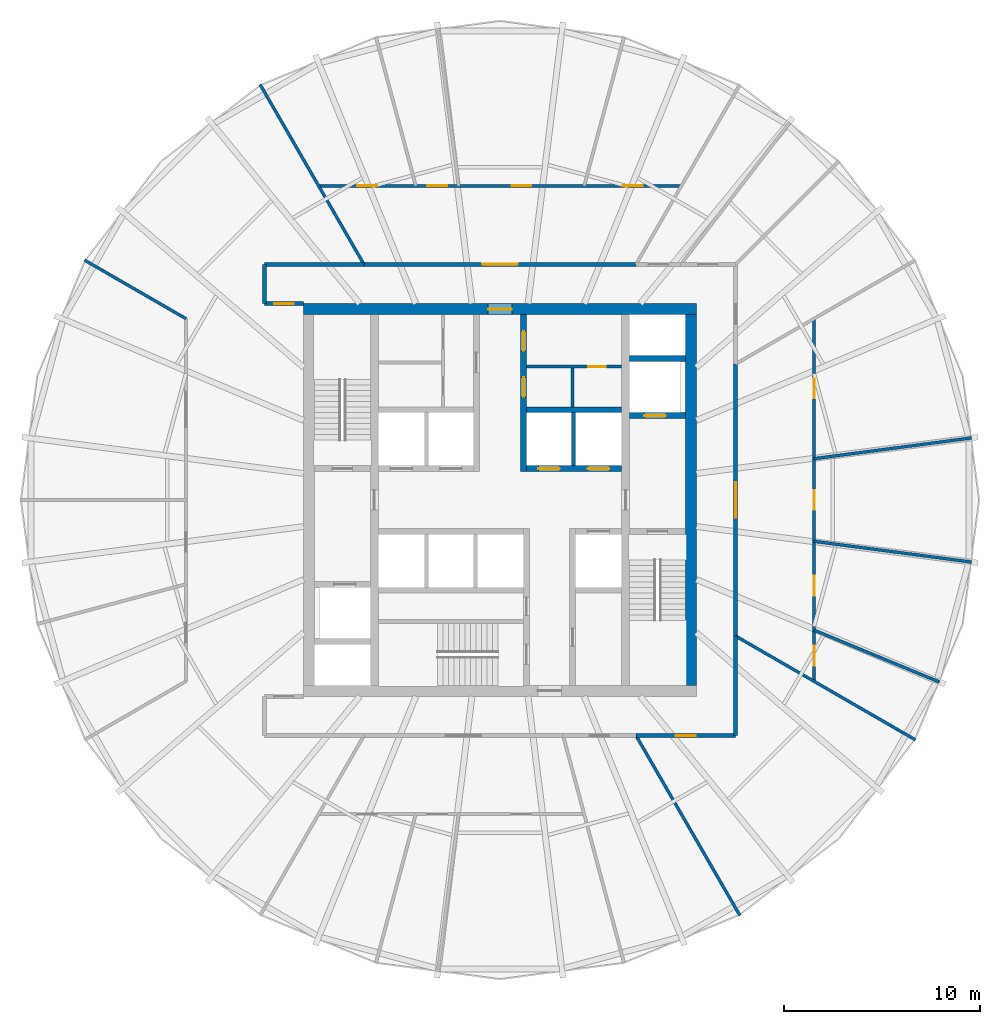
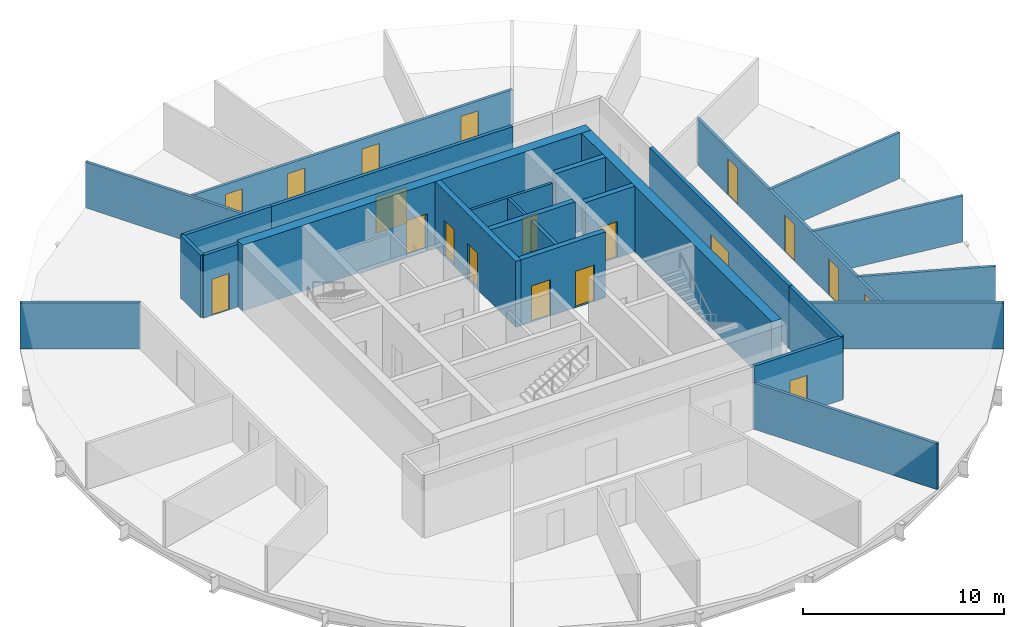
# One storey, part 4 of 6: 26 walls, 19 doors, 19 openings.
"""IFC4 building model written with IfcOpenShell, lengths in metres."""

from ifc_helpers import new_model, si_unit, direction, frame, frame_2d, origin, place, context, subcontext, project, spatial, rectangle, extrude, material, layer, layer_set, type_object, element, fill, save


model = new_model("IFC4")

# Units and contexts
model_context = context("Model", 3, precision=1e-05, world=origin(), true_north=direction((0.0, 1.0)))
body_context = subcontext(model_context, "Body", "Model", "MODEL_VIEW")
ifc_project = project(units=[si_unit("LENGTHUNIT", "METRE"), si_unit("AREAUNIT", "SQUARE_METRE"), si_unit("VOLUMEUNIT", "CUBIC_METRE"), si_unit("PLANEANGLEUNIT", "RADIAN"), si_unit("MASSUNIT", "GRAM", prefix="KILO")], contexts=[model_context])

# Site, building, storey
site_placement = place(None, origin())
site = spatial("IfcSite", under=ifc_project, at=site_placement, CompositionType="ELEMENT")
building_placement = place(site_placement, origin())
building = spatial("IfcBuilding", under=site, at=building_placement, Name="Golbaran Civic Tower", CompositionType="ELEMENT")
storey_placement = place(building_placement, frame((0.0, 0.0, 126.0)))
storey = spatial("IfcBuildingStorey", under=building, at=storey_placement, Name="L30", CompositionType="ELEMENT", Elevation=126.0)

# Wall, opening, door
ifc_material_1 = material(Name="Concrete block", Category="concrete")
ifc_layer_1 = layer(ifc_material_1, 0.14990234375, Name="Concrete block")
ifc_layer_set_1 = layer_set([ifc_layer_1], Name="Concrete block")
wall_type_1 = type_object("IfcWallType", Name="BLOCKWORK PARTITION 150", PredefinedType="PARTITIONING", material=ifc_layer_set_1)
wall_1_placement = place(storey_placement, frame((1.35009765625, 6.800048828125, 0.0), z_axis=(0.0, 0.0, 1.0), x_axis=(1.0, 0.0, 0.0)))
wall_1 = element("IfcWall", 1, at=wall_1_placement, inside=storey, type_object=wall_type_1, Name="Toilet block partition TN1 L30", PredefinedType="PARTITIONING", context=body_context, shape_type="SweptSolid", body=[
    extrude(rectangle(XDim=4.849853515625, YDim=0.14990234375, at=frame_2d((2.4248046875, 0.0))), origin(), (0.0, 0.0, 1.0), 3.75),
])
opening_1_placement = place(wall_1_placement, frame((3.14990234375, 0.0, 0.0)))
opening_1 = element("IfcOpeningElement", 2, at=opening_1_placement, cuts=wall_1, Name="Opening L30.CLN", PredefinedType="OPENING", context=body_context, shape_type="SweptSolid", body=[
    extrude(rectangle(XDim=0.89990234375, YDim=2.199951171875, at=frame_2d((0.449951171875, 1.10009765625))), frame((0.0, 0.0849609375, 0.0), z_axis=(0.0, -1.0, 0.0), x_axis=(1.0, 0.0, 0.0)), (0.0, 0.0, 1.0), 0.169921875),
])
ifc_material_2 = material(Name="Timber door set in steel frame", Category="steel")
door_type_1 = type_object("IfcDoorType", Name="RISER DOOR 900x2200", OperationType="SINGLE_SWING_LEFT", PredefinedType="DOOR", material=ifc_material_2)
door_1_placement = place(opening_1_placement, origin())
door_1 = element("IfcDoor", 3, at=door_1_placement, inside=storey, type_object=door_type_1, Name="Floor Store door", OperationType="SINGLE_SWING_RIGHT", OverallHeight=2.199951171875, OverallWidth=0.89990234375, PredefinedType="DOOR", context=body_context, shape_type="SweptSolid", body=[
    extrude(rectangle(XDim=0.89990234375, YDim=2.199951171875, at=frame_2d((0.449951171875, 1.10009765625))), frame((0.0, 0.02490234375, 0.0), z_axis=(0.0, -1.0, 0.0), x_axis=(1.0, 0.0, 0.0)), (0.0, 0.0, 1.0), 0.050048828125),
])
fill(opening_1, door_1)

# Wall
wall_2_placement = place(storey_placement, frame((3.699951171875, 4.75, 0.0), z_axis=(0.0, 0.0, 1.0), x_axis=(0.0, 1.0, 0.0)))
element("IfcWall", 4, at=wall_2_placement, inside=storey, type_object=wall_type_1, Name="Toilet block partition TN2 L30", PredefinedType="PARTITIONING", context=body_context, shape_type="SweptSolid", body=[
    extrude(rectangle(XDim=1.97509765625, YDim=0.14990234375, at=frame_2d((0.987548828125, 0.0))), origin(), (0.0, 0.0, 1.0), 3.75),
])

# Wall, opening, door
ifc_material_3 = material(Name="Concrete C50/60", Category="concrete")
ifc_layer_2 = layer(ifc_material_3, 0.550048828125, Name="Concrete C50/60")
ifc_layer_set_2 = layer_set([ifc_layer_2], Name="Concrete C50/60")
wall_type_2 = type_object("IfcWallType", Name="CORE WALL CONCRETE 550", PredefinedType="SOLIDWALL", material=ifc_layer_set_2)
wall_3_placement = place(storey_placement, frame((-10.0, 9.72509765625, 0.0), z_axis=(0.0, 0.0, 1.0), x_axis=(1.0, 0.0, 0.0)))
wall_3 = element("IfcWall", 5, at=wall_3_placement, inside=storey, type_object=wall_type_2, Name="Core wall CN L30", PredefinedType="SOLIDWALL", context=body_context, shape_type="SweptSolid", body=[
    extrude(rectangle(XDim=20.0, YDim=0.550048828125, at=frame_2d((10.0, 0.0))), origin(), (0.0, 0.0, 1.0), 4.0),
])
opening_2_placement = place(wall_3_placement, frame((9.39990234375, 0.0, 0.0)))
opening_2 = element("IfcOpeningElement", 6, at=opening_2_placement, cuts=wall_3, Name="Opening L30.CN", PredefinedType="OPENING", context=body_context, shape_type="SweptSolid", body=[
    extrude(rectangle(XDim=1.199951171875, YDim=2.199951171875, at=frame_2d((0.60009765625, 1.10009765625))), frame((0.0, 0.284912109375, 0.0), z_axis=(0.0, -1.0, 0.0), x_axis=(1.0, 0.0, 0.0)), (0.0, 0.0, 1.0), 0.570068359375),
])
door_type_2 = type_object("IfcDoorType", Name="CORE DOOR 1200x2200", OperationType="DOUBLE_DOOR_SINGLE_SWING", PredefinedType="DOOR", material=ifc_material_2)
door_2_placement = place(opening_2_placement, origin())
door_2 = element("IfcDoor", 7, at=door_2_placement, inside=storey, type_object=door_type_2, Name="Core door north", OperationType="DOUBLE_DOOR_SINGLE_SWING", OverallHeight=2.199951171875, OverallWidth=1.199951171875, PredefinedType="DOOR", context=body_context, shape_type="SweptSolid", body=[
    extrude(rectangle(XDim=1.199951171875, YDim=2.199951171875, at=frame_2d((0.60009765625, 1.10009765625))), frame((0.0, 0.02490234375, 0.0), z_axis=(0.0, -1.0, 0.0), x_axis=(1.0, 0.0, 0.0)), (0.0, 0.0, 1.0), 0.050048828125),
])
fill(opening_2, door_2)

# Wall
wall_4_placement = place(storey_placement, frame((9.72509765625, -9.449951171875, 0.0), z_axis=(0.0, 0.0, 1.0), x_axis=(0.0, 1.0, 0.0)))
element("IfcWall", 8, at=wall_4_placement, inside=storey, type_object=wall_type_2, Name="Core wall CE L30", PredefinedType="SOLIDWALL", context=body_context, shape_type="SweptSolid", body=[
    extrude(rectangle(XDim=18.89990234375, YDim=0.550048828125, at=frame_2d((9.449951171875, 0.0))), origin(), (0.0, 0.0, 1.0), 4.0),
])

# Wall, opening, door
ifc_material_4 = material(Name="Gypsum board on steel studs, fire-rated", Category="steel")
ifc_layer_3 = layer(ifc_material_4, 0.199951171875, Name="Gypsum board on steel studs, fire-rated")
ifc_layer_set_3 = layer_set([ifc_layer_3], Name="Gypsum board on steel studs, fire-rated")
wall_type_3 = type_object("IfcWallType", Name="CORRIDOR WALL 200", PredefinedType="PARTITIONING", material=ifc_layer_set_3)
wall_5_placement = place(storey_placement, frame((12.0, -6.92822265625, 0.0), z_axis=(0.0, 0.0, 1.0), x_axis=(0.0, 1.0, 0.0)))
wall_5 = element("IfcWall", 9, at=wall_5_placement, inside=storey, type_object=wall_type_3, Name="Corridor wall L30", PredefinedType="PARTITIONING", context=body_context, shape_type="SweptSolid", body=[
    extrude(rectangle(XDim=13.8564453125, YDim=0.199951171875, at=frame_2d((6.92822265625, 0.0))), origin(), (0.0, 0.0, 1.0), 3.800048828125),
])
opening_3_placement = place(wall_5_placement, frame((6.0283203125, 0.0, 0.0)))
opening_3 = element("IfcOpeningElement", 10, at=opening_3_placement, cuts=wall_5, Name="Opening L30.16", PredefinedType="OPENING", context=body_context, shape_type="SweptSolid", body=[
    extrude(rectangle(XDim=1.800048828125, YDim=2.199951171875, at=frame_2d((0.89990234375, 1.10009765625))), frame((0.0, 0.10986328125, 0.0), z_axis=(0.0, -1.0, 0.0), x_axis=(1.0, 0.0, 0.0)), (0.0, 0.0, 1.0), 0.219970703125),
])
door_type_3 = type_object("IfcDoorType", Name="OFFICE DOUBLE DOOR 1800x2200", OperationType="DOUBLE_DOOR_SINGLE_SWING", PredefinedType="DOOR", material=ifc_material_2)
door_3_placement = place(opening_3_placement, origin())
door_3 = element("IfcDoor", 11, at=door_3_placement, inside=storey, type_object=door_type_3, Name="Secretariat door L30", OperationType="DOUBLE_DOOR_SINGLE_SWING", OverallHeight=2.199951171875, OverallWidth=1.800048828125, PredefinedType="DOOR", context=body_context, shape_type="SweptSolid", body=[
    extrude(rectangle(XDim=1.800048828125, YDim=2.199951171875, at=frame_2d((0.89990234375, 1.10009765625))), frame((0.0, 0.02490234375, 0.0), z_axis=(0.0, -1.0, 0.0), x_axis=(1.0, 0.0, 0.0)), (0.0, 0.0, 1.0), 0.050048828125),
])
fill(opening_3, door_3)

wall_6_placement = place(storey_placement, frame((6.92822265625, 12.0, 0.0), z_axis=(0.0, 0.0, 1.0), x_axis=(-1.0, 0.0, 0.0)))
wall_6 = element("IfcWall", 12, at=wall_6_placement, inside=storey, type_object=wall_type_3, Name="Corridor wall L30", PredefinedType="PARTITIONING", context=body_context, shape_type="SweptSolid", body=[
    extrude(rectangle(XDim=13.8564453125, YDim=0.199951171875, at=frame_2d((6.92822265625, 0.0))), origin(), (0.0, 0.0, 1.0), 3.800048828125),
])
opening_4_placement = place(wall_6_placement, frame((6.0283203125, 0.0, 0.0)))
opening_4 = element("IfcOpeningElement", 13, at=opening_4_placement, cuts=wall_6, Name="Opening L30.20", PredefinedType="OPENING", context=body_context, shape_type="SweptSolid", body=[
    extrude(rectangle(XDim=1.800048828125, YDim=2.199951171875, at=frame_2d((0.89990234375, 1.10009765625))), frame((0.0, 0.10986328125, 0.0), z_axis=(0.0, -1.0, 0.0), x_axis=(1.0, 0.0, 0.0)), (0.0, 0.0, 1.0), 0.219970703125),
])
door_4_placement = place(opening_4_placement, origin())
door_4 = element("IfcDoor", 14, at=door_4_placement, inside=storey, type_object=door_type_3, Name="Secretariat door L30", OperationType="DOUBLE_DOOR_SINGLE_SWING", OverallHeight=2.199951171875, OverallWidth=1.800048828125, PredefinedType="DOOR", context=body_context, shape_type="SweptSolid", body=[
    extrude(rectangle(XDim=1.800048828125, YDim=2.199951171875, at=frame_2d((0.89990234375, 1.10009765625))), frame((0.0, 0.02490234375, 0.0), z_axis=(0.0, -1.0, 0.0), x_axis=(1.0, 0.0, 0.0)), (0.0, 0.0, 1.0), 0.050048828125),
])
fill(opening_4, door_4)

# Walls
wall_7_placement = place(storey_placement, frame((-6.92822265625, 12.0, 0.0), z_axis=(0.0, 0.0, 1.0), x_axis=(-1.0, 0.0, 0.0)))
element("IfcWall", 15, at=wall_7_placement, inside=storey, type_object=wall_type_3, Name="Corridor wall L30", PredefinedType="PARTITIONING", context=body_context, shape_type="SweptSolid", body=[
    extrude(rectangle(XDim=5.07177734375, YDim=0.199951171875, at=frame_2d((2.535888671875, 0.0))), origin(), (0.0, 0.0, 1.0), 3.800048828125),
])
wall_8_placement = place(storey_placement, frame((-12.0, 12.0, 0.0), z_axis=(0.0, 0.0, 1.0), x_axis=(0.0, -1.0, 0.0)))
element("IfcWall", 16, at=wall_8_placement, inside=storey, type_object=wall_type_3, Name="Corridor wall L30", PredefinedType="PARTITIONING", context=body_context, shape_type="SweptSolid", body=[
    extrude(rectangle(XDim=2.0, YDim=0.199951171875, at=frame_2d((1.0, 0.0))), origin(), (0.0, 0.0, 1.0), 3.800048828125),
])

# Wall, opening, door
wall_9_placement = place(storey_placement, frame((6.92822265625, -12.0, 0.0), z_axis=(0.0, 0.0, 1.0), x_axis=(1.0, 0.0, 0.0)))
wall_9 = element("IfcWall", 17, at=wall_9_placement, inside=storey, type_object=wall_type_3, Name="Corridor wall L30", PredefinedType="PARTITIONING", context=body_context, shape_type="SweptSolid", body=[
    extrude(rectangle(XDim=5.07177734375, YDim=0.199951171875, at=frame_2d((2.535888671875, 0.0))), origin(), (0.0, 0.0, 1.0), 3.800048828125),
])
opening_5_placement = place(wall_9_placement, frame((2.035888671875, 0.0, 0.0)))
opening_5 = element("IfcOpeningElement", 18, at=opening_5_placement, cuts=wall_9, Name="Opening L30.23", PredefinedType="OPENING", context=body_context, shape_type="SweptSolid", body=[
    extrude(rectangle(XDim=1.0, YDim=2.199951171875, at=frame_2d((0.5, 1.10009765625))), frame((0.0, 0.10986328125, 0.0), z_axis=(0.0, -1.0, 0.0), x_axis=(1.0, 0.0, 0.0)), (0.0, 0.0, 1.0), 0.219970703125),
])
door_type_4 = type_object("IfcDoorType", Name="OFFICE DOOR 1000x2200", OperationType="SINGLE_SWING_LEFT", PredefinedType="DOOR", material=ifc_material_2)
door_5_placement = place(opening_5_placement, origin())
door_5 = element("IfcDoor", 19, at=door_5_placement, inside=storey, type_object=door_type_4, Name="Project Room door L30", OperationType="SINGLE_SWING_LEFT", OverallHeight=2.199951171875, OverallWidth=1.0, PredefinedType="DOOR", context=body_context, shape_type="SweptSolid", body=[
    extrude(rectangle(XDim=1.0, YDim=2.199951171875, at=frame_2d((0.5, 1.10009765625))), frame((0.0, 0.02490234375, 0.0), z_axis=(0.0, -1.0, 0.0), x_axis=(1.0, 0.0, 0.0)), (0.0, 0.0, 1.0), 0.050048828125),
])
fill(opening_5, door_5)

# Wall
wall_10_placement = place(storey_placement, frame((12.0, -12.0, 0.0), z_axis=(0.0, 0.0, 1.0), x_axis=(0.0, 1.0, 0.0)))
element("IfcWall", 20, at=wall_10_placement, inside=storey, type_object=wall_type_3, Name="Corridor wall L30", PredefinedType="PARTITIONING", context=body_context, shape_type="SweptSolid", body=[
    extrude(rectangle(XDim=5.07177734375, YDim=0.199951171875, at=frame_2d((2.535888671875, 0.0))), origin(), (0.0, 0.0, 1.0), 3.800048828125),
])

# Wall, opening, door
wall_11_placement = place(storey_placement, frame((-10.0, 10.0, 0.0), z_axis=(0.0, 0.0, 1.0), x_axis=(-1.0, 0.0, 0.0)))
wall_11 = element("IfcWall", 21, at=wall_11_placement, inside=storey, type_object=wall_type_3, Name="Corridor end wall L30", PredefinedType="PARTITIONING", context=body_context, shape_type="SweptSolid", body=[
    extrude(rectangle(XDim=2.0, YDim=0.199951171875, at=frame_2d((1.0, 0.0))), origin(), (0.0, 0.0, 1.0), 3.800048828125),
])
opening_6_placement = place(wall_11_placement, frame((0.5, 0.0, 0.0)))
opening_6 = element("IfcOpeningElement", 22, at=opening_6_placement, cuts=wall_11, Name="Opening L30.26", PredefinedType="OPENING", context=body_context, shape_type="SweptSolid", body=[
    extrude(rectangle(XDim=1.0, YDim=2.199951171875, at=frame_2d((0.5, 1.10009765625))), frame((0.0, 0.10986328125, 0.0), z_axis=(0.0, -1.0, 0.0), x_axis=(1.0, 0.0, 0.0)), (0.0, 0.0, 1.0), 0.219970703125),
])
door_6_placement = place(opening_6_placement, origin())
door_6 = element("IfcDoor", 23, at=door_6_placement, inside=storey, type_object=door_type_4, Name="Open Office door L30", OperationType="SINGLE_SWING_RIGHT", OverallHeight=2.199951171875, OverallWidth=1.0, PredefinedType="DOOR", context=body_context, shape_type="SweptSolid", body=[
    extrude(rectangle(XDim=1.0, YDim=2.199951171875, at=frame_2d((0.5, 1.10009765625))), frame((0.0, 0.02490234375, 0.0), z_axis=(0.0, -1.0, 0.0), x_axis=(1.0, 0.0, 0.0)), (0.0, 0.0, 1.0), 0.050048828125),
])
fill(opening_6, door_6)

# Walls
ifc_layer_4 = layer(ifc_material_1, 0.199951171875, Name="Concrete block")
ifc_layer_set_4 = layer_set([ifc_layer_4], Name="Concrete block")
wall_type_4 = type_object("IfcWallType", Name="LIFT SEPARATOR WALL 200", PredefinedType="SOLIDWALL", material=ifc_layer_set_4)
wall_12_placement = place(storey_placement, frame((3.75, 1.75, 0.0), z_axis=(0.0, 0.0, 1.0), x_axis=(0.0, 1.0, 0.0)))
element("IfcWall", 24, at=wall_12_placement, inside=storey, type_object=wall_type_4, Name="Core partition SNE L30", PredefinedType="SOLIDWALL", context=body_context, shape_type="SweptSolid", body=[
    extrude(rectangle(XDim=2.699951171875, YDim=0.199951171875, at=frame_2d((1.35009765625, 0.0))), origin(), (0.0, 0.0, 1.0), 3.75),
])
ifc_material_5 = material(Name="Gypsum board on steel studs", Category="steel")
ifc_layer_5 = layer(ifc_material_5, 0.14990234375, Name="Gypsum board on steel studs")
ifc_layer_set_5 = layer_set([ifc_layer_5], Name="Gypsum board on steel studs")
wall_type_5 = type_object("IfcWallType", Name="OFFICE PARTITION 150", PredefinedType="PARTITIONING", material=ifc_layer_set_5)
for number, where, z_axis, x_axis, name in (
    (25, (12.0, -6.92822265625, 0.0), (0.0, 0.0, 1.0), (0.866023526577, -0.500003251404, 0.0), "Partition 330 L30"),
    (26, (-6.92822265625, 12.0, 0.0), (0.0, 0.0, 1.0), (-0.500003251404, 0.866023526577, 0.0), "Partition 120 L30"),
    (27, (6.92822265625, -12.0, 0.0), (0.0, 0.0, 1.0), (0.500003251404, -0.866023526577, 0.0), "Partition 300 L30"),
):
    element("IfcWall", number, at=place(storey_placement, frame(where, z_axis=z_axis, x_axis=x_axis)), inside=storey, type_object=wall_type_5, Name=name, PredefinedType="PARTITIONING", context=body_context, shape_type="SweptSolid", body=[
        extrude(rectangle(XDim=10.5869140625, YDim=0.14990234375, at=frame_2d((5.29345703125, 0.0))), origin(), (0.0, 0.0, 1.0), 2.7900390625),
    ])

# Wall, openings, doors
wall_13_placement = place(storey_placement, frame((16.0, -9.237548828125, 0.0), z_axis=(0.0, 0.0, 1.0), x_axis=(0.0, 1.0, 0.0)))
wall_13 = element("IfcWall", 28, at=wall_13_placement, inside=storey, type_object=wall_type_5, Name="Suite partition L30", PredefinedType="PARTITIONING", context=body_context, shape_type="SweptSolid", body=[
    extrude(rectangle(XDim=18.47509765625, YDim=0.14990234375, at=frame_2d((9.237548828125, 0.0))), origin(), (0.0, 0.0, 1.0), 2.7900390625),
])
opening_7_placement = place(wall_13_placement, frame((0.80517578125, 0.0, 0.0)))
opening_7 = element("IfcOpeningElement", 29, at=opening_7_placement, cuts=wall_13, Name="Opening L30.02", PredefinedType="OPENING", context=body_context, shape_type="SweptSolid", body=[
    extrude(rectangle(XDim=1.0, YDim=2.199951171875, at=frame_2d((0.5, 1.10009765625))), frame((0.0, 0.0849609375, 0.0), z_axis=(0.0, -1.0, 0.0), x_axis=(1.0, 0.0, 0.0)), (0.0, 0.0, 1.0), 0.169921875),
])
opening_8_placement = place(wall_13_placement, frame((4.37060546875, 0.0, 0.0)))
opening_8 = element("IfcOpeningElement", 30, at=opening_8_placement, cuts=wall_13, Name="Opening L30.03", PredefinedType="OPENING", context=body_context, shape_type="SweptSolid", body=[
    extrude(rectangle(XDim=1.0, YDim=2.199951171875, at=frame_2d((0.5, 1.10009765625))), frame((0.0, 0.0849609375, 0.0), z_axis=(0.0, -1.0, 0.0), x_axis=(1.0, 0.0, 0.0)), (0.0, 0.0, 1.0), 0.169921875),
])
opening_9_placement = place(wall_13_placement, frame((8.737548828125, 0.0, 0.0)))
opening_9 = element("IfcOpeningElement", 31, at=opening_9_placement, cuts=wall_13, Name="Opening L30.04", PredefinedType="OPENING", context=body_context, shape_type="SweptSolid", body=[
    extrude(rectangle(XDim=1.0, YDim=2.199951171875, at=frame_2d((0.5, 1.10009765625))), frame((0.0, 0.0849609375, 0.0), z_axis=(0.0, -1.0, 0.0), x_axis=(1.0, 0.0, 0.0)), (0.0, 0.0, 1.0), 0.169921875),
])
opening_10_placement = place(wall_13_placement, frame((14.40966796875, 0.0, 0.0)))
opening_10 = element("IfcOpeningElement", 32, at=opening_10_placement, cuts=wall_13, Name="Opening L30.05", PredefinedType="OPENING", context=body_context, shape_type="SweptSolid", body=[
    extrude(rectangle(XDim=1.0, YDim=2.199951171875, at=frame_2d((0.5, 1.10009765625))), frame((0.0, 0.0849609375, 0.0), z_axis=(0.0, -1.0, 0.0), x_axis=(1.0, 0.0, 0.0)), (0.0, 0.0, 1.0), 0.169921875),
])
door_7_placement = place(opening_7_placement, origin())
door_7 = element("IfcDoor", 33, at=door_7_placement, inside=storey, type_object=door_type_4, Name="Office door L30", OperationType="SINGLE_SWING_LEFT", OverallHeight=2.199951171875, OverallWidth=1.0, PredefinedType="DOOR", context=body_context, shape_type="SweptSolid", body=[
    extrude(rectangle(XDim=1.0, YDim=2.199951171875, at=frame_2d((0.5, 1.10009765625))), frame((0.0, 0.02490234375, 0.0), z_axis=(0.0, -1.0, 0.0), x_axis=(1.0, 0.0, 0.0)), (0.0, 0.0, 1.0), 0.050048828125),
])
fill(opening_7, door_7)
door_8_placement = place(opening_8_placement, origin())
door_8 = element("IfcDoor", 34, at=door_8_placement, inside=storey, type_object=door_type_4, Name="Office door L30", OperationType="SINGLE_SWING_LEFT", OverallHeight=2.199951171875, OverallWidth=1.0, PredefinedType="DOOR", context=body_context, shape_type="SweptSolid", body=[
    extrude(rectangle(XDim=1.0, YDim=2.199951171875, at=frame_2d((0.5, 1.10009765625))), frame((0.0, 0.02490234375, 0.0), z_axis=(0.0, -1.0, 0.0), x_axis=(1.0, 0.0, 0.0)), (0.0, 0.0, 1.0), 0.050048828125),
])
fill(opening_8, door_8)
door_9_placement = place(opening_9_placement, origin())
door_9 = element("IfcDoor", 35, at=door_9_placement, inside=storey, type_object=door_type_4, Name="Office door L30", OperationType="SINGLE_SWING_LEFT", OverallHeight=2.199951171875, OverallWidth=1.0, PredefinedType="DOOR", context=body_context, shape_type="SweptSolid", body=[
    extrude(rectangle(XDim=1.0, YDim=2.199951171875, at=frame_2d((0.5, 1.10009765625))), frame((0.0, 0.02490234375, 0.0), z_axis=(0.0, -1.0, 0.0), x_axis=(1.0, 0.0, 0.0)), (0.0, 0.0, 1.0), 0.050048828125),
])
fill(opening_9, door_9)
door_10_placement = place(opening_10_placement, origin())
door_10 = element("IfcDoor", 36, at=door_10_placement, inside=storey, type_object=door_type_4, Name="Director's Office door L30", OperationType="SINGLE_SWING_RIGHT", OverallHeight=2.199951171875, OverallWidth=1.0, PredefinedType="DOOR", context=body_context, shape_type="SweptSolid", body=[
    extrude(rectangle(XDim=1.0, YDim=2.199951171875, at=frame_2d((0.5, 1.10009765625))), frame((0.0, 0.02490234375, 0.0), z_axis=(0.0, -1.0, 0.0), x_axis=(1.0, 0.0, 0.0)), (0.0, 0.0, 1.0), 0.050048828125),
])
fill(opening_10, door_10)

# Walls
wall_14_placement = place(storey_placement, frame((16.0, -6.62744140625, 0.0), z_axis=(0.0, 0.0, 1.0), x_axis=(0.923884314452, -0.382671887534, 0.0)))
element("IfcWall", 37, at=wall_14_placement, inside=storey, type_object=wall_type_5, Name="Partition 337.5 L30", PredefinedType="PARTITIONING", context=body_context, shape_type="SweptSolid", body=[
    extrude(rectangle(XDim=6.915771484375, YDim=0.14990234375, at=frame_2d((3.4580078125, 0.0))), origin(), (0.0, 0.0, 1.0), 2.7900390625),
])
for number, where, z_axis, x_axis, name in (
    (38, (16.0, -2.1064453125, 0.0), (0.0, 0.0, 1.0), (0.99144669858, -0.130512236494, 0.0), "Partition 352.5 L30"),
    (39, (16.0, 2.1064453125, 0.0), (0.0, 0.0, 1.0), (0.99144669858, 0.130512236494, 0.0), "Partition 7.5 L30"),
):
    element("IfcWall", number, at=place(storey_placement, frame(where, z_axis=z_axis, x_axis=x_axis)), inside=storey, type_object=wall_type_5, Name=name, PredefinedType="PARTITIONING", context=body_context, shape_type="SweptSolid", body=[
        extrude(rectangle(XDim=8.09619140625, YDim=0.14990234375, at=frame_2d((4.048095703125, 0.0))), origin(), (0.0, 0.0, 1.0), 2.7900390625),
    ])

# Wall, openings, doors
wall_15_placement = place(storey_placement, frame((9.237548828125, 16.0, 0.0), z_axis=(0.0, 0.0, 1.0), x_axis=(-1.0, 0.0, 0.0)))
wall_15 = element("IfcWall", 40, at=wall_15_placement, inside=storey, type_object=wall_type_5, Name="Suite partition L30", PredefinedType="PARTITIONING", context=body_context, shape_type="SweptSolid", body=[
    extrude(rectangle(XDim=18.47509765625, YDim=0.14990234375, at=frame_2d((9.237548828125, 0.0))), origin(), (0.0, 0.0, 1.0), 2.7900390625),
])
opening_11_placement = place(wall_15_placement, frame((1.97509765625, 0.0, 0.0)))
opening_11 = element("IfcOpeningElement", 41, at=opening_11_placement, cuts=wall_15, Name="Opening L30.06", PredefinedType="OPENING", context=body_context, shape_type="SweptSolid", body=[
    extrude(rectangle(XDim=1.0, YDim=2.199951171875, at=frame_2d((0.5, 1.10009765625))), frame((0.0, 0.0849609375, 0.0), z_axis=(0.0, -1.0, 0.0), x_axis=(1.0, 0.0, 0.0)), (0.0, 0.0, 1.0), 0.169921875),
])
opening_12_placement = place(wall_15_placement, frame((7.647216796875, 0.0, 0.0)))
opening_12 = element("IfcOpeningElement", 42, at=opening_12_placement, cuts=wall_15, Name="Opening L30.07", PredefinedType="OPENING", context=body_context, shape_type="SweptSolid", body=[
    extrude(rectangle(XDim=1.0, YDim=2.199951171875, at=frame_2d((0.5, 1.10009765625))), frame((0.0, 0.0849609375, 0.0), z_axis=(0.0, -1.0, 0.0), x_axis=(1.0, 0.0, 0.0)), (0.0, 0.0, 1.0), 0.169921875),
])
opening_13_placement = place(wall_15_placement, frame((11.934326171875, 0.0, 0.0)))
opening_13 = element("IfcOpeningElement", 43, at=opening_13_placement, cuts=wall_15, Name="Opening L30.08", PredefinedType="OPENING", context=body_context, shape_type="SweptSolid", body=[
    extrude(rectangle(XDim=1.0, YDim=2.199951171875, at=frame_2d((0.5, 1.10009765625))), frame((0.0, 0.0849609375, 0.0), z_axis=(0.0, -1.0, 0.0), x_axis=(1.0, 0.0, 0.0)), (0.0, 0.0, 1.0), 0.169921875),
])
opening_14_placement = place(wall_15_placement, frame((15.5, 0.0, 0.0)))
opening_14 = element("IfcOpeningElement", 44, at=opening_14_placement, cuts=wall_15, Name="Opening L30.09", PredefinedType="OPENING", context=body_context, shape_type="SweptSolid", body=[
    extrude(rectangle(XDim=1.0, YDim=2.199951171875, at=frame_2d((0.5, 1.10009765625))), frame((0.0, 0.0849609375, 0.0), z_axis=(0.0, -1.0, 0.0), x_axis=(1.0, 0.0, 0.0)), (0.0, 0.0, 1.0), 0.169921875),
])
door_11_placement = place(opening_11_placement, origin())
door_11 = element("IfcDoor", 45, at=door_11_placement, inside=storey, type_object=door_type_4, Name="Office door L30", OperationType="SINGLE_SWING_LEFT", OverallHeight=2.199951171875, OverallWidth=1.0, PredefinedType="DOOR", context=body_context, shape_type="SweptSolid", body=[
    extrude(rectangle(XDim=1.0, YDim=2.199951171875, at=frame_2d((0.5, 1.10009765625))), frame((0.0, 0.02490234375, 0.0), z_axis=(0.0, -1.0, 0.0), x_axis=(1.0, 0.0, 0.0)), (0.0, 0.0, 1.0), 0.050048828125),
])
fill(opening_11, door_11)
door_12_placement = place(opening_12_placement, origin())
door_12 = element("IfcDoor", 46, at=door_12_placement, inside=storey, type_object=door_type_4, Name="Office door L30", OperationType="SINGLE_SWING_LEFT", OverallHeight=2.199951171875, OverallWidth=1.0, PredefinedType="DOOR", context=body_context, shape_type="SweptSolid", body=[
    extrude(rectangle(XDim=1.0, YDim=2.199951171875, at=frame_2d((0.5, 1.10009765625))), frame((0.0, 0.02490234375, 0.0), z_axis=(0.0, -1.0, 0.0), x_axis=(1.0, 0.0, 0.0)), (0.0, 0.0, 1.0), 0.050048828125),
])
fill(opening_12, door_12)
door_13_placement = place(opening_13_placement, origin())
door_13 = element("IfcDoor", 47, at=door_13_placement, inside=storey, type_object=door_type_4, Name="Office door L30", OperationType="SINGLE_SWING_RIGHT", OverallHeight=2.199951171875, OverallWidth=1.0, PredefinedType="DOOR", context=body_context, shape_type="SweptSolid", body=[
    extrude(rectangle(XDim=1.0, YDim=2.199951171875, at=frame_2d((0.5, 1.10009765625))), frame((0.0, 0.02490234375, 0.0), z_axis=(0.0, -1.0, 0.0), x_axis=(1.0, 0.0, 0.0)), (0.0, 0.0, 1.0), 0.050048828125),
])
fill(opening_13, door_13)
door_14_placement = place(opening_14_placement, origin())
door_14 = element("IfcDoor", 48, at=door_14_placement, inside=storey, type_object=door_type_4, Name="Office door L30", OperationType="SINGLE_SWING_RIGHT", OverallHeight=2.199951171875, OverallWidth=1.0, PredefinedType="DOOR", context=body_context, shape_type="SweptSolid", body=[
    extrude(rectangle(XDim=1.0, YDim=2.199951171875, at=frame_2d((0.5, 1.10009765625))), frame((0.0, 0.02490234375, 0.0), z_axis=(0.0, -1.0, 0.0), x_axis=(1.0, 0.0, 0.0)), (0.0, 0.0, 1.0), 0.050048828125),
])
fill(opening_14, door_14)

# Wall
wall_16_placement = place(storey_placement, frame((-16.0, 9.237548828125, 0.0), z_axis=(0.0, 0.0, 1.0), x_axis=(-0.866016638956, 0.50001518082, 0.0)))
element("IfcWall", 49, at=wall_16_placement, inside=storey, type_object=wall_type_5, Name="Suite side partition L30", PredefinedType="PARTITIONING", context=body_context, shape_type="SweptSolid", body=[
    extrude(rectangle(XDim=5.968017578125, YDim=0.14990234375, at=frame_2d((2.98388671875, 0.0))), origin(), (0.0, 0.0, 1.0), 2.7900390625),
])

# Wall, openings, doors
ifc_layer_6 = layer(ifc_material_3, 0.300048828125, Name="Concrete C50/60")
ifc_layer_set_6 = layer_set([ifc_layer_6], Name="Concrete C50/60")
wall_type_6 = type_object("IfcWallType", Name="SHAFT WALL CONCRETE 300", PredefinedType="SOLIDWALL", material=ifc_layer_set_6)
wall_17_placement = place(storey_placement, frame((1.35009765625, 1.60009765625, 0.0), z_axis=(0.0, 0.0, 1.0), x_axis=(1.0, 0.0, 0.0)))
wall_17 = element("IfcWall", 50, at=wall_17_placement, inside=storey, type_object=wall_type_6, Name="Core wall FNE L30", PredefinedType="SOLIDWALL", context=body_context, shape_type="SweptSolid", body=[
    extrude(rectangle(XDim=4.849853515625, YDim=0.300048828125, at=frame_2d((2.4248046875, 0.0))), origin(), (0.0, 0.0, 1.0), 4.0),
])
opening_15_placement = place(wall_17_placement, frame((0.60009765625, 0.0, 0.0)))
opening_15 = element("IfcOpeningElement", 51, at=opening_15_placement, cuts=wall_17, Name="Opening L30.LD-Z3M", PredefinedType="OPENING", context=body_context, shape_type="SweptSolid", body=[
    extrude(rectangle(XDim=1.10009765625, YDim=2.199951171875, at=frame_2d((0.550048828125, 1.10009765625))), frame((0.0, 0.159912109375, 0.0), z_axis=(0.0, -1.0, 0.0), x_axis=(1.0, 0.0, 0.0)), (0.0, 0.0, 1.0), 0.320068359375),
])
opening_16_placement = place(wall_17_placement, frame((3.125, 0.0, 0.0)))
opening_16 = element("IfcOpeningElement", 52, at=opening_16_placement, cuts=wall_17, Name="Opening L30.LD-Z4M", PredefinedType="OPENING", context=body_context, shape_type="SweptSolid", body=[
    extrude(rectangle(XDim=1.10009765625, YDim=2.199951171875, at=frame_2d((0.550048828125, 1.10009765625))), frame((0.0, 0.159912109375, 0.0), z_axis=(0.0, -1.0, 0.0), x_axis=(1.0, 0.0, 0.0)), (0.0, 0.0, 1.0), 0.320068359375),
])
ifc_material_6 = material(Name="Stainless steel", Category="steel")
door_type_5 = type_object("IfcDoorType", Name="LIFT LANDING DOOR 1100x2200", OperationType="SLIDING_TO_LEFT", PredefinedType="DOOR", material=ifc_material_6)
door_15_placement = place(opening_15_placement, origin())
door_15 = element("IfcDoor", 53, at=door_15_placement, inside=storey, type_object=door_type_5, Name="Lift landing door Z3M", OperationType="SLIDING_TO_LEFT", OverallHeight=2.199951171875, OverallWidth=1.10009765625, PredefinedType="DOOR", context=body_context, shape_type="SweptSolid", body=[
    extrude(rectangle(XDim=1.10009765625, YDim=2.199951171875, at=frame_2d((0.550048828125, 1.10009765625))), frame((0.0, 0.02490234375, 0.0), z_axis=(0.0, -1.0, 0.0), x_axis=(1.0, 0.0, 0.0)), (0.0, 0.0, 1.0), 0.050048828125),
])
fill(opening_15, door_15)
door_16_placement = place(opening_16_placement, origin())
door_16 = element("IfcDoor", 54, at=door_16_placement, inside=storey, type_object=door_type_5, Name="Lift landing door Z4M", OperationType="SLIDING_TO_LEFT", OverallHeight=2.199951171875, OverallWidth=1.10009765625, PredefinedType="DOOR", context=body_context, shape_type="SweptSolid", body=[
    extrude(rectangle(XDim=1.10009765625, YDim=2.199951171875, at=frame_2d((0.550048828125, 1.10009765625))), frame((0.0, 0.02490234375, 0.0), z_axis=(0.0, -1.0, 0.0), x_axis=(1.0, 0.0, 0.0)), (0.0, 0.0, 1.0), 0.050048828125),
])
fill(opening_16, door_16)

# Wall
wall_18_placement = place(storey_placement, frame((1.35009765625, 4.60009765625, 0.0), z_axis=(0.0, 0.0, 1.0), x_axis=(1.0, 0.0, 0.0)))
element("IfcWall", 55, at=wall_18_placement, inside=storey, type_object=wall_type_6, Name="Core wall BNE L30", PredefinedType="SOLIDWALL", context=body_context, shape_type="SweptSolid", body=[
    extrude(rectangle(XDim=4.849853515625, YDim=0.300048828125, at=frame_2d((2.4248046875, 0.0))), origin(), (0.0, 0.0, 1.0), 4.0),
])

# Wall, openings, doors
wall_19_placement = place(storey_placement, frame((1.199951171875, 1.449951171875, 0.0), z_axis=(0.0, 0.0, 1.0), x_axis=(0.0, 1.0, 0.0)))
wall_19 = element("IfcWall", 56, at=wall_19_placement, inside=storey, type_object=wall_type_6, Name="Core wall PNE L30", PredefinedType="SOLIDWALL", context=body_context, shape_type="SweptSolid", body=[
    extrude(rectangle(XDim=8.0, YDim=0.300048828125, at=frame_2d((4.0, 0.0))), origin(), (0.0, 0.0, 1.0), 4.0),
])
opening_17_placement = place(wall_19_placement, frame((3.800048828125, 0.0, 0.0)))
opening_17 = element("IfcOpeningElement", 57, at=opening_17_placement, cuts=wall_19, Name="Opening L30.WCA", PredefinedType="OPENING", context=body_context, shape_type="SweptSolid", body=[
    extrude(rectangle(XDim=1.0, YDim=2.199951171875, at=frame_2d((0.5, 1.10009765625))), frame((0.0, 0.159912109375, 0.0), z_axis=(0.0, -1.0, 0.0), x_axis=(1.0, 0.0, 0.0)), (0.0, 0.0, 1.0), 0.320068359375),
])
opening_18_placement = place(wall_19_placement, frame((6.14990234375, 0.0, 0.0)))
opening_18 = element("IfcOpeningElement", 58, at=opening_18_placement, cuts=wall_19, Name="Opening L30.WCF", PredefinedType="OPENING", context=body_context, shape_type="SweptSolid", body=[
    extrude(rectangle(XDim=1.0, YDim=2.199951171875, at=frame_2d((0.5, 1.10009765625))), frame((0.0, 0.159912109375, 0.0), z_axis=(0.0, -1.0, 0.0), x_axis=(1.0, 0.0, 0.0)), (0.0, 0.0, 1.0), 0.320068359375),
])
door_type_6 = type_object("IfcDoorType", Name="TOILET DOOR 1000x2200", OperationType="SINGLE_SWING_LEFT", PredefinedType="DOOR", material=ifc_material_2)
door_17_placement = place(opening_17_placement, origin())
door_17 = element("IfcDoor", 59, at=door_17_placement, inside=storey, type_object=door_type_6, Name="Accessible WC door", OperationType="SINGLE_SWING_RIGHT", OverallHeight=2.199951171875, OverallWidth=1.0, PredefinedType="DOOR", context=body_context, shape_type="SweptSolid", body=[
    extrude(rectangle(XDim=1.0, YDim=2.199951171875, at=frame_2d((0.5, 1.10009765625))), frame((0.0, 0.02490234375, 0.0), z_axis=(0.0, -1.0, 0.0), x_axis=(1.0, 0.0, 0.0)), (0.0, 0.0, 1.0), 0.050048828125),
])
fill(opening_17, door_17)
door_18_placement = place(opening_18_placement, origin())
door_18 = element("IfcDoor", 60, at=door_18_placement, inside=storey, type_object=door_type_6, Name="North-east toilet block door", OperationType="SINGLE_SWING_RIGHT", OverallHeight=2.199951171875, OverallWidth=1.0, PredefinedType="DOOR", context=body_context, shape_type="SweptSolid", body=[
    extrude(rectangle(XDim=1.0, YDim=2.199951171875, at=frame_2d((0.5, 1.10009765625))), frame((0.0, 0.02490234375, 0.0), z_axis=(0.0, -1.0, 0.0), x_axis=(1.0, 0.0, 0.0)), (0.0, 0.0, 1.0), 0.050048828125),
])
fill(opening_18, door_18)

# Wall, opening, door
wall_20_placement = place(storey_placement, frame((6.60009765625, 4.300048828125, 0.0), z_axis=(0.0, 0.0, 1.0), x_axis=(1.0, 0.0, 0.0)))
wall_20 = element("IfcWall", 61, at=wall_20_placement, inside=storey, type_object=wall_type_6, Name="Core wall XE2 L30", PredefinedType="SOLIDWALL", context=body_context, shape_type="SweptSolid", body=[
    extrude(rectangle(XDim=2.849853515625, YDim=0.300048828125, at=frame_2d((1.4248046875, 0.0))), origin(), (0.0, 0.0, 1.0), 4.0),
])
opening_19_placement = place(wall_20_placement, frame((0.75, 0.0, 0.0)))
opening_19 = element("IfcOpeningElement", 62, at=opening_19_placement, cuts=wall_20, Name="Opening L30.LD-F2", PredefinedType="OPENING", context=body_context, shape_type="SweptSolid", body=[
    extrude(rectangle(XDim=1.10009765625, YDim=2.199951171875, at=frame_2d((0.550048828125, 1.10009765625))), frame((0.0, 0.159912109375, 0.0), z_axis=(0.0, -1.0, 0.0), x_axis=(1.0, 0.0, 0.0)), (0.0, 0.0, 1.0), 0.320068359375),
])
door_19_placement = place(opening_19_placement, origin())
door_19 = element("IfcDoor", 63, at=door_19_placement, inside=storey, type_object=door_type_5, Name="Lift landing door F2", OperationType="SLIDING_TO_LEFT", OverallHeight=2.199951171875, OverallWidth=1.10009765625, PredefinedType="DOOR", context=body_context, shape_type="SweptSolid", body=[
    extrude(rectangle(XDim=1.10009765625, YDim=2.199951171875, at=frame_2d((0.550048828125, 1.10009765625))), frame((0.0, 0.02490234375, 0.0), z_axis=(0.0, -1.0, 0.0), x_axis=(1.0, 0.0, 0.0)), (0.0, 0.0, 1.0), 0.050048828125),
])
fill(opening_19, door_19)

# Wall
wall_21_placement = place(storey_placement, frame((6.60009765625, 7.199951171875, 0.0), z_axis=(0.0, 0.0, 1.0), x_axis=(1.0, 0.0, 0.0)))
element("IfcWall", 64, at=wall_21_placement, inside=storey, type_object=wall_type_6, Name="Core wall XE3 L30", PredefinedType="SOLIDWALL", context=body_context, shape_type="SweptSolid", body=[
    extrude(rectangle(XDim=2.849853515625, YDim=0.300048828125, at=frame_2d((1.4248046875, 0.0))), origin(), (0.0, 0.0, 1.0), 4.0),
])

save(model, "model.ifc")
